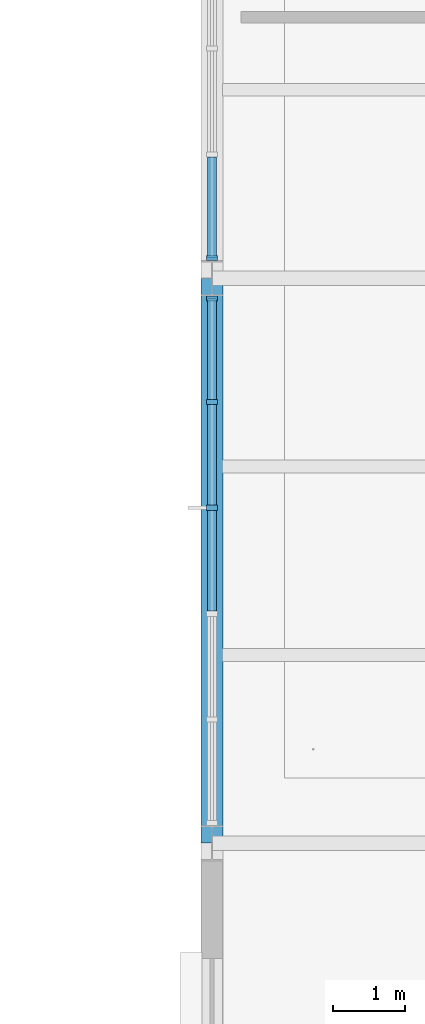
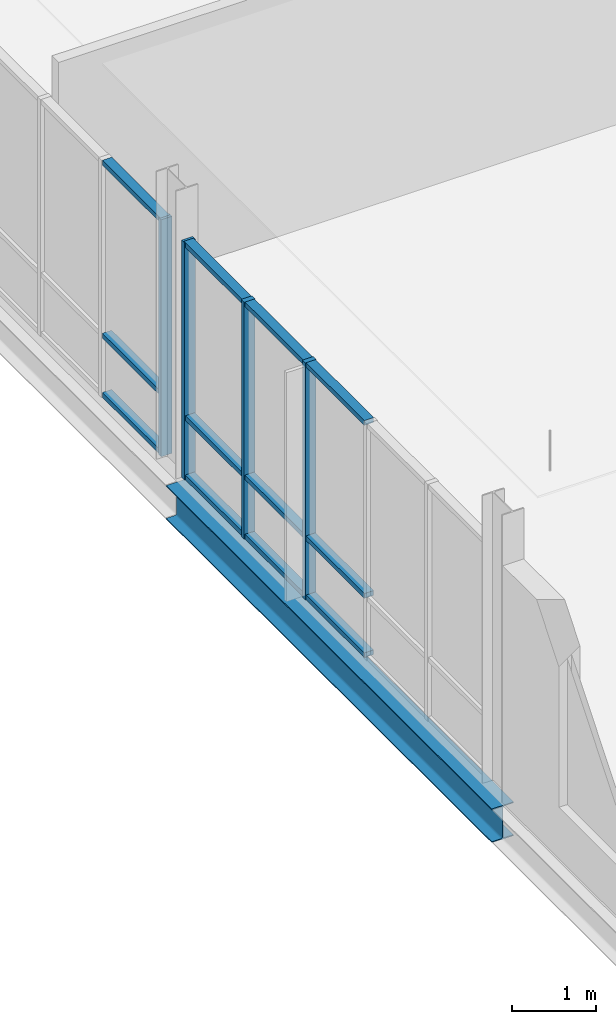
# One storey, part 25 of 75: 16 members, 1 beam, 2 elements without a shape of their own.
"""IFC4 building model written with IfcOpenShell, lengths in metres."""

from ifc_helpers import new_model, si_unit, direction, frame, origin, origin_2d, place, context, subcontext, project, spatial, rectangle, i_section, extrude, material, layer, layer_set, material_profile, profile_set, type_object, element, aggregate, save


model = new_model("IFC4")

# Units and contexts
model_context = context("Model", 3, precision=1e-05, world=origin(), true_north=direction((0.0, 1.0)))
body_context = subcontext(model_context, "Body", "Model", "MODEL_VIEW")
ifc_project = project(units=[si_unit("LENGTHUNIT", "METRE"), si_unit("AREAUNIT", "SQUARE_METRE"), si_unit("VOLUMEUNIT", "CUBIC_METRE"), si_unit("PLANEANGLEUNIT", "RADIAN"), si_unit("MASSUNIT", "GRAM", prefix="KILO")], contexts=[model_context])

# Site, building, storey
site_placement = place(None, origin())
site = spatial("IfcSite", under=ifc_project, at=site_placement, CompositionType="ELEMENT")
building_placement = place(site_placement, origin())
building = spatial("IfcBuilding", under=site, at=building_placement, Name="Yukiwa Park Conservatory and Herbarium", CompositionType="ELEMENT")
storey_placement = place(building_placement, frame((0.0, 0.0, 4.800048828125)))
storey = spatial("IfcBuildingStorey", under=building, at=storey_placement, Name="L01", CompositionType="ELEMENT", Elevation=4.800048828125)

# Beam
ifc_material_1 = material(Name="Steel Q355D", Category="steel")
ifc_material_profile = material_profile(ifc_material_1, i_section(OverallWidth=0.300048828125, OverallDepth=0.493896484375, WebThickness=0.010986328125, FlangeThickness=0.014892578125, FilletRadius=0.02392578125, at=origin_2d()), Name="HM 494x300x11x15")
ifc_profile_set = profile_set([ifc_material_profile], Name="Steel Q355D")
beam_type = type_object("IfcBeamType", Name="BM-SPN-HN450", PredefinedType="SPANDREL", material=ifc_profile_set)
beam_placement = place(storey_placement, frame((60.0, 54.60595703125, -0.487060546875), z_axis=(0.0, 1.0, 0.0), x_axis=(-1.0, 0.0, 0.0)))
element("IfcBeam", 1, at=beam_placement, inside=storey, type_object=beam_type, Name="L01 spandrel girder Y-120", PredefinedType="SPANDREL", context=body_context, shape_type="SweptSolid", body=[
    extrude(i_section(OverallWidth=0.300048828125, OverallDepth=0.493896484375, WebThickness=0.010986328125, FlangeThickness=0.014892578125, FilletRadius=0.02392578125, at=origin_2d()), origin(), (0.0, 0.0, 1.0), 7.7880859375),
])

# Curtain wall, member
ifc_material_2 = material(Name="Triple Low-E Insulated Glass", Category="glass")
ifc_layer = layer(ifc_material_2, 0.199951171875)
ifc_layer_set = layer_set([ifc_layer], Name="Triple Low-E Insulated Glass")
curtain_wall_type = type_object("IfcCurtainWallType", Name="CW-VISITOR-1600", PredefinedType="NOTDEFINED", material=ifc_layer_set)
curtain_wall_1_placement = place(storey_placement, origin())
curtain_wall_1 = element("IfcCurtainWall", 2, at=curtain_wall_1_placement, inside=storey, type_object=curtain_wall_type, Name="L01 unitised curtain wall CW-L01-048", PredefinedType="NOTDEFINED")
ifc_material_3 = material(Name="Anodised Aluminium", Category="aluminium")
member_type_1 = type_object("IfcMemberType", Name="MB-CW-MUL-70X150", PredefinedType="MULLION", material=ifc_material_3)
member_1_placement = place(storey_placement, frame((60.0, 62.678955078125, 0.0), z_axis=(0.0, 0.0, 1.0), x_axis=(0.0, -1.0, 0.0)))
member_1 = element("IfcMember", 3, at=member_1_placement, type_object=member_type_1, Name="CW-L01-048 mullion 6", PredefinedType="MULLION", context=body_context, shape_type="SweptSolid", body=[
    extrude(rectangle(XDim=0.070068359375, YDim=0.14990234375, at=origin_2d()), origin(), (0.0, 0.0, 1.0), 3.4609375),
])

# Curtain wall, members
curtain_wall_2_placement = place(storey_placement, origin())
curtain_wall_2 = element("IfcCurtainWall", 4, at=curtain_wall_2_placement, inside=storey, type_object=curtain_wall_type, Name="L01 unitised curtain wall CW-L01-049", PredefinedType="NOTDEFINED")
member_2_placement = place(storey_placement, frame((60.0, 62.12109375, 0.0), z_axis=(0.0, 0.0, 1.0), x_axis=(0.0, -1.0, 0.0)))
member_2 = element("IfcMember", 5, at=member_2_placement, type_object=member_type_1, Name="CW-L01-049 mullion 1", PredefinedType="MULLION", context=body_context, shape_type="SweptSolid", body=[
    extrude(rectangle(XDim=0.070068359375, YDim=0.14990234375, at=origin_2d()), origin(), (0.0, 0.0, 1.0), 3.4609375),
])
member_3_placement = place(storey_placement, frame((60.0, 60.693603515625, 0.0), z_axis=(0.0, 0.0, 1.0), x_axis=(0.0, -1.0, 0.0)))
member_3 = element("IfcMember", 6, at=member_3_placement, type_object=member_type_1, Name="CW-L01-049 mullion 2", PredefinedType="MULLION", context=body_context, shape_type="SweptSolid", body=[
    extrude(rectangle(XDim=0.070068359375, YDim=0.14990234375, at=origin_2d()), origin(), (0.0, 0.0, 1.0), 3.4609375),
])
member_4_placement = place(storey_placement, frame((60.0, 59.231201171875, 0.0), z_axis=(0.0, 0.0, 1.0), x_axis=(0.0, -1.0, 0.0)))
member_4 = element("IfcMember", 7, at=member_4_placement, type_object=member_type_1, Name="CW-L01-049 mullion 3", PredefinedType="MULLION", context=body_context, shape_type="SweptSolid", body=[
    extrude(rectangle(XDim=0.070068359375, YDim=0.14990234375, at=origin_2d()), origin(), (0.0, 0.0, 1.0), 3.4609375),
])

# Member
ifc_material_4 = material(Name="Anodised Aluminium", Category="aluminium")
member_type_2 = type_object("IfcMemberType", Name="MB-CW-TRN-70X130", PredefinedType="USERDEFINED", material=ifc_material_4)
member_5_placement = place(storey_placement, frame((60.0, 63.375244140625, 0.0), z_axis=(0.0, 0.0, 1.0), x_axis=(0.0, -1.0, 0.0)))
member_5 = element("IfcMember", 8, at=member_5_placement, type_object=member_type_2, Name="CW-L01-048 transom 5.1", ObjectType="TRANSOM", PredefinedType="USERDEFINED", context=body_context, shape_type="SweptSolid", body=[
    extrude(rectangle(XDim=1.392333984375, YDim=0.1298828125, at=origin_2d()), origin(), (0.0, 0.0, 1.0), 0.070068359375),
])

member_6_placement = place(storey_placement, frame((60.0, 63.375244140625, 0.86474609375), z_axis=(0.0, 0.0, 1.0), x_axis=(0.0, -1.0, 0.0)))
member_6 = element("IfcMember", 9, at=member_6_placement, type_object=member_type_2, Name="CW-L01-048 transom 5.2", ObjectType="TRANSOM", PredefinedType="USERDEFINED", context=body_context, shape_type="SweptSolid", body=[
    extrude(rectangle(XDim=1.392333984375, YDim=0.1298828125, at=origin_2d()), origin(), (0.0, 0.0, 1.0), 0.070068359375),
])

member_7_placement = place(storey_placement, frame((60.0, 63.375244140625, 3.39111328125), z_axis=(0.0, 0.0, 1.0), x_axis=(0.0, -1.0, 0.0)))
member_7 = element("IfcMember", 10, at=member_7_placement, type_object=member_type_2, Name="CW-L01-048 transom 5.3", ObjectType="TRANSOM", PredefinedType="USERDEFINED", context=body_context, shape_type="SweptSolid", body=[
    extrude(rectangle(XDim=1.392333984375, YDim=0.1298828125, at=origin_2d()), origin(), (0.0, 0.0, 1.0), 0.070068359375),
])

aggregate(curtain_wall_1, [member_1, member_5, member_6, member_7])

member_8_placement = place(storey_placement, frame((60.0, 61.4248046875, 0.0), z_axis=(0.0, 0.0, 1.0), x_axis=(0.0, -1.0, 0.0)))
member_8 = element("IfcMember", 11, at=member_8_placement, type_object=member_type_2, Name="CW-L01-049 transom 1.1", ObjectType="TRANSOM", PredefinedType="USERDEFINED", context=body_context, shape_type="SweptSolid", body=[
    extrude(rectangle(XDim=1.392333984375, YDim=0.1298828125, at=origin_2d()), origin(), (0.0, 0.0, 1.0), 0.070068359375),
])

member_9_placement = place(storey_placement, frame((60.0, 61.4248046875, 0.86474609375), z_axis=(0.0, 0.0, 1.0), x_axis=(0.0, -1.0, 0.0)))
member_9 = element("IfcMember", 12, at=member_9_placement, type_object=member_type_2, Name="CW-L01-049 transom 1.2", ObjectType="TRANSOM", PredefinedType="USERDEFINED", context=body_context, shape_type="SweptSolid", body=[
    extrude(rectangle(XDim=1.392333984375, YDim=0.1298828125, at=origin_2d()), origin(), (0.0, 0.0, 1.0), 0.070068359375),
])

member_10_placement = place(storey_placement, frame((60.0, 61.4248046875, 3.39111328125), z_axis=(0.0, 0.0, 1.0), x_axis=(0.0, -1.0, 0.0)))
member_10 = element("IfcMember", 13, at=member_10_placement, type_object=member_type_2, Name="CW-L01-049 transom 1.3", ObjectType="TRANSOM", PredefinedType="USERDEFINED", context=body_context, shape_type="SweptSolid", body=[
    extrude(rectangle(XDim=1.392333984375, YDim=0.1298828125, at=origin_2d()), origin(), (0.0, 0.0, 1.0), 0.070068359375),
])

member_11_placement = place(storey_placement, frame((60.0, 59.96240234375, 0.0), z_axis=(0.0, 0.0, 1.0), x_axis=(0.0, -1.0, 0.0)))
member_11 = element("IfcMember", 14, at=member_11_placement, type_object=member_type_2, Name="CW-L01-049 transom 2.1", ObjectType="TRANSOM", PredefinedType="USERDEFINED", context=body_context, shape_type="SweptSolid", body=[
    extrude(rectangle(XDim=1.392333984375, YDim=0.1298828125, at=origin_2d()), origin(), (0.0, 0.0, 1.0), 0.070068359375),
])

member_12_placement = place(storey_placement, frame((60.0, 59.96240234375, 0.86474609375), z_axis=(0.0, 0.0, 1.0), x_axis=(0.0, -1.0, 0.0)))
member_12 = element("IfcMember", 15, at=member_12_placement, type_object=member_type_2, Name="CW-L01-049 transom 2.2", ObjectType="TRANSOM", PredefinedType="USERDEFINED", context=body_context, shape_type="SweptSolid", body=[
    extrude(rectangle(XDim=1.392333984375, YDim=0.1298828125, at=origin_2d()), origin(), (0.0, 0.0, 1.0), 0.070068359375),
])

member_13_placement = place(storey_placement, frame((60.0, 59.96240234375, 3.39111328125), z_axis=(0.0, 0.0, 1.0), x_axis=(0.0, -1.0, 0.0)))
member_13 = element("IfcMember", 16, at=member_13_placement, type_object=member_type_2, Name="CW-L01-049 transom 2.3", ObjectType="TRANSOM", PredefinedType="USERDEFINED", context=body_context, shape_type="SweptSolid", body=[
    extrude(rectangle(XDim=1.392333984375, YDim=0.1298828125, at=origin_2d()), origin(), (0.0, 0.0, 1.0), 0.070068359375),
])

member_14_placement = place(storey_placement, frame((60.0, 58.5, 0.0), z_axis=(0.0, 0.0, 1.0), x_axis=(0.0, -1.0, 0.0)))
member_14 = element("IfcMember", 17, at=member_14_placement, type_object=member_type_2, Name="CW-L01-049 transom 3.1", ObjectType="TRANSOM", PredefinedType="USERDEFINED", context=body_context, shape_type="SweptSolid", body=[
    extrude(rectangle(XDim=1.392333984375, YDim=0.1298828125, at=origin_2d()), origin(), (0.0, 0.0, 1.0), 0.070068359375),
])

member_15_placement = place(storey_placement, frame((60.0, 58.5, 0.86474609375), z_axis=(0.0, 0.0, 1.0), x_axis=(0.0, -1.0, 0.0)))
member_15 = element("IfcMember", 18, at=member_15_placement, type_object=member_type_2, Name="CW-L01-049 transom 3.2", ObjectType="TRANSOM", PredefinedType="USERDEFINED", context=body_context, shape_type="SweptSolid", body=[
    extrude(rectangle(XDim=1.392333984375, YDim=0.1298828125, at=origin_2d()), origin(), (0.0, 0.0, 1.0), 0.070068359375),
])

member_16_placement = place(storey_placement, frame((60.0, 58.5, 3.39111328125), z_axis=(0.0, 0.0, 1.0), x_axis=(0.0, -1.0, 0.0)))
member_16 = element("IfcMember", 19, at=member_16_placement, type_object=member_type_2, Name="CW-L01-049 transom 3.3", ObjectType="TRANSOM", PredefinedType="USERDEFINED", context=body_context, shape_type="SweptSolid", body=[
    extrude(rectangle(XDim=1.392333984375, YDim=0.1298828125, at=origin_2d()), origin(), (0.0, 0.0, 1.0), 0.070068359375),
])

aggregate(curtain_wall_2, [member_2, member_3, member_4, member_8, member_9, member_10, member_11, member_12, member_13, member_14, member_15, member_16])

save(model, "model.ifc")
